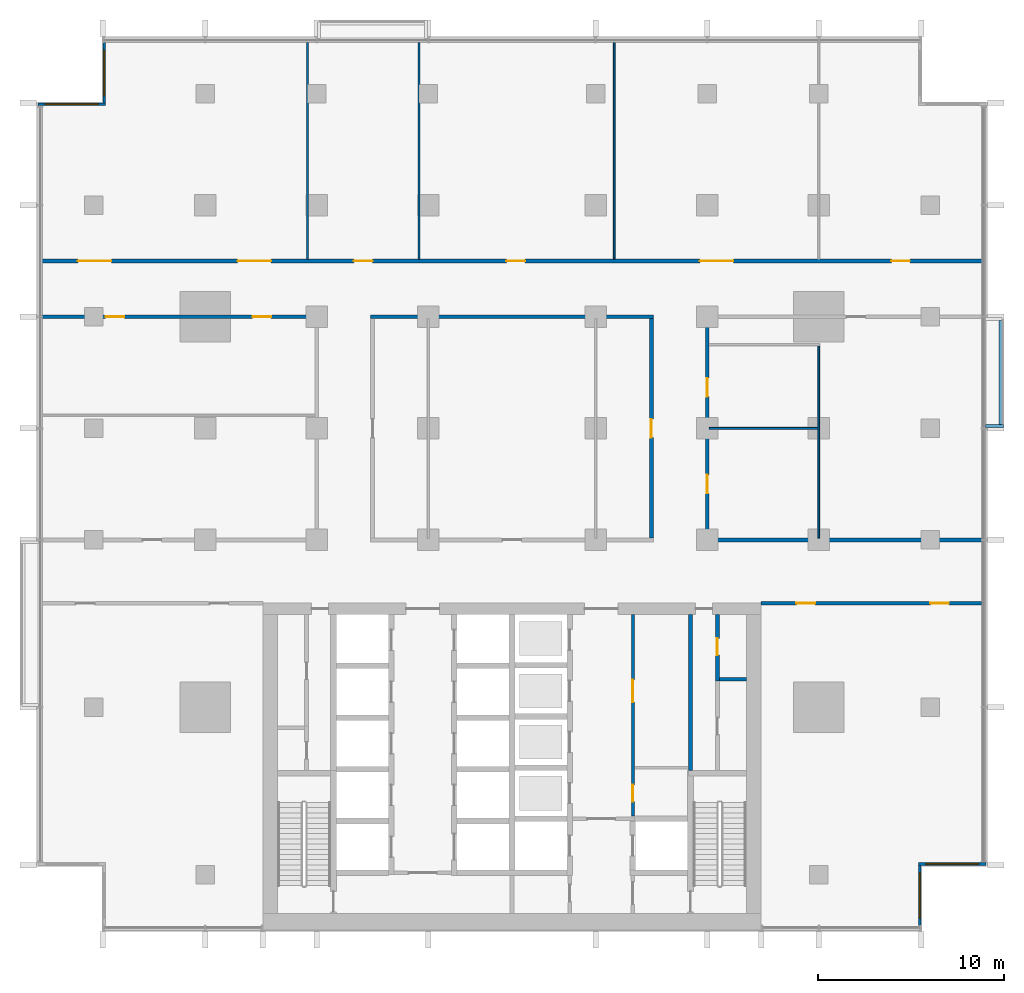
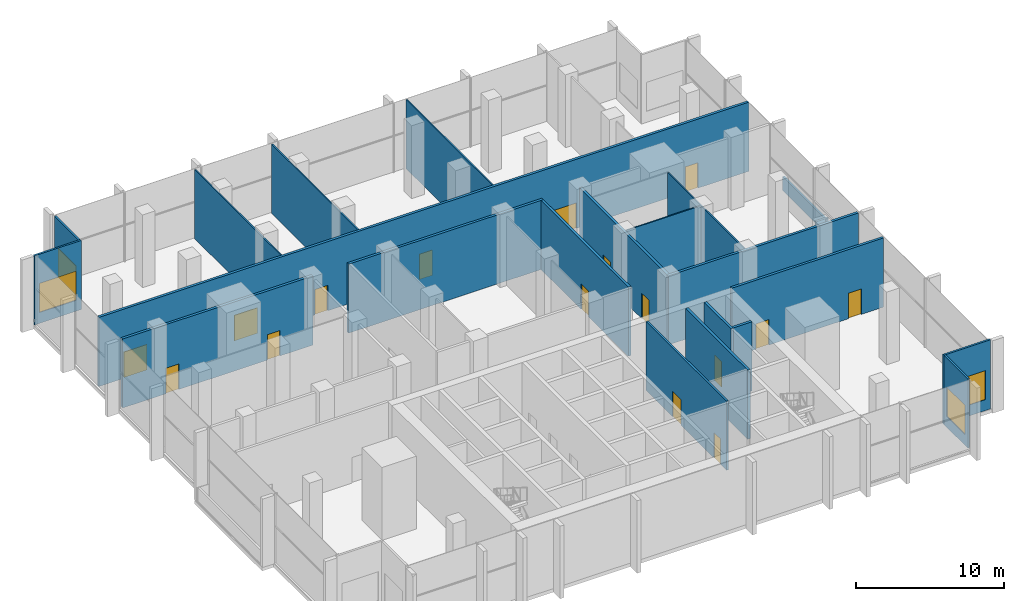
# One storey, part 9 of 16: 22 walls, 16 doors, 4 windows, 20 openings.
"""IFC4 building model written with IfcOpenShell, lengths in metres."""

from ifc_helpers import new_model, si_unit, direction, frame, frame_2d, origin, place, context, subcontext, project, spatial, rectangle, extrude, material, layer, layer_set, type_object, element, fill, save


model = new_model("IFC4")

# Units and contexts
model_context = context("Model", 3, precision=1e-05, world=origin(), true_north=direction((0.0, 1.0)))
body_context = subcontext(model_context, "Body", "Model", "MODEL_VIEW")
ifc_project = project(units=[si_unit("LENGTHUNIT", "METRE"), si_unit("AREAUNIT", "SQUARE_METRE"), si_unit("VOLUMEUNIT", "CUBIC_METRE"), si_unit("PLANEANGLEUNIT", "RADIAN"), si_unit("MASSUNIT", "GRAM", prefix="KILO")], contexts=[model_context])

# Site, building, storey
site_placement = place(None, origin())
site = spatial("IfcSite", under=ifc_project, at=site_placement, CompositionType="ELEMENT")
building_placement = place(site_placement, origin())
building = spatial("IfcBuilding", under=site, at=building_placement, Name="Finial Court Residences", CompositionType="ELEMENT")
storey_placement = place(building_placement, frame((0.0, 0.0, 127.89990234375)))
storey = spatial("IfcBuildingStorey", under=building, at=storey_placement, Name="L32", CompositionType="ELEMENT", Elevation=127.89990234375)

# Wall, openings, doors
ifc_material_1 = material(Name="Fire-rated gypsum board partition")
ifc_layer_1 = layer(ifc_material_1, 0.14990234375)
ifc_layer_set_1 = layer_set([ifc_layer_1], Name="Core room partition 150 EI 60")
wall_type_1 = type_object("IfcWallType", Name="Core room partition 150 EI 60", PredefinedType="PARTITIONING", material=ifc_layer_set_1)
wall_1_placement = place(storey_placement, frame((6.5, -8.5, 0.0), z_axis=(0.0, 0.0, 1.0), x_axis=(0.0, -1.0, 0.0)))
wall_1 = element("IfcWall", 1, at=wall_1_placement, inside=storey, type_object=wall_type_1, Name="Core partition L32-36", PredefinedType="PARTITIONING", context=body_context, shape_type="SweptSolid", body=[
    extrude(rectangle(XDim=10.85009765625, YDim=0.14990234375, at=frame_2d((5.425048828125, 0.0))), origin(), (0.0, 0.0, 1.0), 5.7001953125),
])
opening_1_placement = place(wall_1_placement, frame((9.175048828125, 0.0, 0.0)))
opening_1 = element("IfcOpeningElement", 2, at=opening_1_placement, cuts=wall_1, Name="Opening L32-C13", PredefinedType="OPENING", context=body_context, shape_type="SweptSolid", body=[
    extrude(rectangle(XDim=0.89990234375, YDim=2.10009765625, at=frame_2d((0.449951171875, 1.050048828125))), frame((0.0, 0.0849609375, 0.0), z_axis=(0.0, -1.0, 0.0), x_axis=(1.0, 0.0, 0.0)), (0.0, 0.0, 1.0), 0.169921875),
])
opening_2_placement = place(wall_1_placement, frame((3.52490234375, 0.0, 0.0)))
opening_2 = element("IfcOpeningElement", 3, at=opening_2_placement, cuts=wall_1, Name="Opening L32-C14", PredefinedType="OPENING", context=body_context, shape_type="SweptSolid", body=[
    extrude(rectangle(XDim=1.199951171875, YDim=2.10009765625, at=frame_2d((0.60009765625, 1.050048828125))), frame((0.0, 0.0849609375, 0.0), z_axis=(0.0, -1.0, 0.0), x_axis=(1.0, 0.0, 0.0)), (0.0, 0.0, 1.0), 0.169921875),
])
ifc_material_2 = material(Name="Steel fire door", Category="steel")
door_type_1 = type_object("IfcDoorType", Name="Core room door 1200 x 2100 EI 60", OperationType="NOTDEFINED", PredefinedType="DOOR", material=ifc_material_2)
door_1_placement = place(opening_2_placement, origin())
door_1 = element("IfcDoor", 4, at=door_1_placement, inside=storey, type_object=door_type_1, Name="Core room door L32-C14", OperationType="SINGLE_SWING_RIGHT", OverallHeight=2.10009765625, OverallWidth=1.199951171875, PredefinedType="DOOR", context=body_context, shape_type="SweptSolid", body=[
    extrude(rectangle(XDim=1.199951171875, YDim=2.10009765625, at=frame_2d((0.60009765625, 1.050048828125))), frame((0.0, 0.02490234375, 0.0), z_axis=(0.0, -1.0, 0.0), x_axis=(1.0, 0.0, 0.0)), (0.0, 0.0, 1.0), 0.050048828125),
])
fill(opening_2, door_1)
door_type_2 = type_object("IfcDoorType", Name="Core room door 900 x 2100 EI 60", OperationType="NOTDEFINED", PredefinedType="DOOR", material=ifc_material_2)
door_2_placement = place(opening_1_placement, origin())
door_2 = element("IfcDoor", 5, at=door_2_placement, inside=storey, type_object=door_type_2, Name="Core room door L32-C13", OperationType="SINGLE_SWING_RIGHT", OverallHeight=2.10009765625, OverallWidth=0.89990234375, PredefinedType="DOOR", context=body_context, shape_type="SweptSolid", body=[
    extrude(rectangle(XDim=0.89990234375, YDim=2.10009765625, at=frame_2d((0.449951171875, 1.050048828125))), frame((0.0, 0.02490234375, 0.0), z_axis=(0.0, -1.0, 0.0), x_axis=(1.0, 0.0, 0.0)), (0.0, 0.0, 1.0), 0.050048828125),
])
fill(opening_1, door_2)

ifc_material_3 = material(Name="Gypsum board")
ifc_layer_2 = layer(ifc_material_3, 0.02490234375)
ifc_material_4 = material(Name="Acoustic mineral wool in double frame")
ifc_layer_3 = layer(ifc_material_4, 0.14990234375)
ifc_layer_4 = layer(ifc_material_3, 0.02490234375)
ifc_layer_set_2 = layer_set([ifc_layer_2, ifc_layer_3, ifc_layer_4], Name="Corridor wall 200, 1 hour")
wall_type_2 = type_object("IfcWallType", Name="Corridor wall 200, 1 hour", PredefinedType="PARTITIONING", material=ifc_layer_set_2)
wall_2_placement = place(storey_placement, frame((13.39990234375, -7.89990234375, 0.0), z_axis=(0.0, 0.0, 1.0), x_axis=(1.0, 0.0, 0.0)))
wall_2 = element("IfcWall", 6, at=wall_2_placement, inside=storey, type_object=wall_type_2, Name="Partition L32-001", PredefinedType="PARTITIONING", context=body_context, shape_type="SweptSolid", body=[
    extrude(rectangle(XDim=11.837646484375, YDim=0.199951171875, at=frame_2d((5.9189453125, 0.0))), origin(), (0.0, 0.0, 1.0), 5.7001953125),
])
opening_3_placement = place(wall_2_placement, frame((1.89990234375, 0.0, 0.0)))
opening_3 = element("IfcOpeningElement", 7, at=opening_3_placement, cuts=wall_2, Name="Opening L32-D003", PredefinedType="OPENING", context=body_context, shape_type="SweptSolid", body=[
    extrude(rectangle(XDim=1.0, YDim=2.10009765625, at=frame_2d((0.5, 1.050048828125))), frame((0.0, 0.10986328125, 0.0), z_axis=(0.0, -1.0, 0.0), x_axis=(1.0, 0.0, 0.0)), (0.0, 0.0, 1.0), 0.219970703125),
])
opening_4_placement = place(wall_2_placement, frame((9.10009765625, 0.0, 0.0)))
opening_4 = element("IfcOpeningElement", 8, at=opening_4_placement, cuts=wall_2, Name="Opening L32-D004", PredefinedType="OPENING", context=body_context, shape_type="SweptSolid", body=[
    extrude(rectangle(XDim=1.0, YDim=2.10009765625, at=frame_2d((0.5, 1.050048828125))), frame((0.0, 0.10986328125, 0.0), z_axis=(0.0, -1.0, 0.0), x_axis=(1.0, 0.0, 0.0)), (0.0, 0.0, 1.0), 0.219970703125),
])
ifc_material_5 = material(Name="Timber door leaf in hollow metal frame", Category="wood")
door_type_3 = type_object("IfcDoorType", Name="Fire door set 1000 x 2100, 30 minutes", OperationType="SINGLE_SWING_LEFT", PredefinedType="DOOR", material=ifc_material_5)
door_3_placement = place(opening_3_placement, origin())
door_3 = element("IfcDoor", 9, at=door_3_placement, inside=storey, type_object=door_type_3, Name="Door L32-D003", OperationType="SINGLE_SWING_LEFT", OverallHeight=2.10009765625, OverallWidth=1.0, PredefinedType="DOOR", context=body_context, shape_type="SweptSolid", body=[
    extrude(rectangle(XDim=1.0, YDim=2.10009765625, at=frame_2d((0.5, 1.050048828125))), frame((0.0, 0.02490234375, 0.0), z_axis=(0.0, -1.0, 0.0), x_axis=(1.0, 0.0, 0.0)), (0.0, 0.0, 1.0), 0.050048828125),
])
fill(opening_3, door_3)
door_4_placement = place(opening_4_placement, origin())
door_4 = element("IfcDoor", 10, at=door_4_placement, inside=storey, type_object=door_type_3, Name="Door L32-D004", OperationType="SINGLE_SWING_RIGHT", OverallHeight=2.10009765625, OverallWidth=1.0, PredefinedType="DOOR", context=body_context, shape_type="SweptSolid", body=[
    extrude(rectangle(XDim=1.0, YDim=2.10009765625, at=frame_2d((0.5, 1.050048828125))), frame((0.0, 0.02490234375, 0.0), z_axis=(0.0, -1.0, 0.0), x_axis=(1.0, 0.0, 0.0)), (0.0, 0.0, 1.0), 0.050048828125),
])
fill(opening_4, door_4)

# Wall
wall_3_placement = place(storey_placement, frame((10.39990234375, -4.5, 0.0), z_axis=(0.0, 0.0, 1.0), x_axis=(1.0, 0.0, 0.0)))
element("IfcWall", 11, at=wall_3_placement, inside=storey, type_object=wall_type_2, Name="Partition L32-004", PredefinedType="PARTITIONING", context=body_context, shape_type="SweptSolid", body=[
    extrude(rectangle(XDim=14.837646484375, YDim=0.199951171875, at=frame_2d((7.4189453125, 0.0))), origin(), (0.0, 0.0, 1.0), 5.7001953125),
])

# Wall, openings, doors
wall_4_placement = place(storey_placement, frame((-25.237548828125, 7.5, 0.0), z_axis=(0.0, 0.0, 1.0), x_axis=(1.0, 0.0, 0.0)))
wall_4 = element("IfcWall", 12, at=wall_4_placement, inside=storey, type_object=wall_type_2, Name="Partition L32-008", PredefinedType="PARTITIONING", context=body_context, shape_type="SweptSolid", body=[
    extrude(rectangle(XDim=14.837646484375, YDim=0.199951171875, at=frame_2d((7.4189453125, 0.0))), origin(), (0.0, 0.0, 1.0), 5.7001953125),
])
opening_5_placement = place(wall_4_placement, frame((3.386962890625, 0.0, 0.0)))
opening_5 = element("IfcOpeningElement", 13, at=opening_5_placement, cuts=wall_4, Name="Opening L32-D007", PredefinedType="OPENING", context=body_context, shape_type="SweptSolid", body=[
    extrude(rectangle(XDim=1.0, YDim=2.10009765625, at=frame_2d((0.5, 1.050048828125))), frame((0.0, 0.10986328125, 0.0), z_axis=(0.0, -1.0, 0.0), x_axis=(1.0, 0.0, 0.0)), (0.0, 0.0, 1.0), 0.219970703125),
])
opening_6_placement = place(wall_4_placement, frame((11.2880859375, 0.0, 0.0)))
opening_6 = element("IfcOpeningElement", 14, at=opening_6_placement, cuts=wall_4, Name="Opening L32-D008", PredefinedType="OPENING", context=body_context, shape_type="SweptSolid", body=[
    extrude(rectangle(XDim=1.0, YDim=2.10009765625, at=frame_2d((0.5, 1.050048828125))), frame((0.0, 0.10986328125, 0.0), z_axis=(0.0, -1.0, 0.0), x_axis=(1.0, 0.0, 0.0)), (0.0, 0.0, 1.0), 0.219970703125),
])
door_5_placement = place(opening_5_placement, origin())
door_5 = element("IfcDoor", 15, at=door_5_placement, inside=storey, type_object=door_type_3, Name="Door L32-D007", OperationType="SINGLE_SWING_LEFT", OverallHeight=2.10009765625, OverallWidth=1.0, PredefinedType="DOOR", context=body_context, shape_type="SweptSolid", body=[
    extrude(rectangle(XDim=1.0, YDim=2.10009765625, at=frame_2d((0.5, 1.050048828125))), frame((0.0, 0.02490234375, 0.0), z_axis=(0.0, -1.0, 0.0), x_axis=(1.0, 0.0, 0.0)), (0.0, 0.0, 1.0), 0.050048828125),
])
fill(opening_5, door_5)
door_6_placement = place(opening_6_placement, origin())
door_6 = element("IfcDoor", 16, at=door_6_placement, inside=storey, type_object=door_type_3, Name="Door L32-D008", OperationType="SINGLE_SWING_RIGHT", OverallHeight=2.10009765625, OverallWidth=1.0, PredefinedType="DOOR", context=body_context, shape_type="SweptSolid", body=[
    extrude(rectangle(XDim=1.0, YDim=2.10009765625, at=frame_2d((0.5, 1.050048828125))), frame((0.0, 0.02490234375, 0.0), z_axis=(0.0, -1.0, 0.0), x_axis=(1.0, 0.0, 0.0)), (0.0, 0.0, 1.0), 0.050048828125),
])
fill(opening_6, door_6)

# Wall
wall_5_placement = place(storey_placement, frame((-7.60009765625, 7.5, 0.0), z_axis=(0.0, 0.0, 1.0), x_axis=(1.0, 0.0, 0.0)))
element("IfcWall", 17, at=wall_5_placement, inside=storey, type_object=wall_type_2, Name="Partition L32-009", PredefinedType="PARTITIONING", context=body_context, shape_type="SweptSolid", body=[
    extrude(rectangle(XDim=15.2001953125, YDim=0.199951171875, at=frame_2d((7.60009765625, 0.0))), origin(), (0.0, 0.0, 1.0), 5.7001953125),
])

# Wall, openings, doors
wall_6_placement = place(storey_placement, frame((-25.35009765625, 10.5, 0.0), z_axis=(0.0, 0.0, 1.0), x_axis=(1.0, 0.0, 0.0)))
wall_6 = element("IfcWall", 18, at=wall_6_placement, inside=storey, type_object=wall_type_2, Name="Partition L32-011", PredefinedType="PARTITIONING", context=body_context, shape_type="SweptSolid", body=[
    extrude(rectangle(XDim=50.7001953125, YDim=0.199951171875, at=frame_2d((25.35009765625, 0.0))), origin(), (0.0, 0.0, 1.0), 5.7001953125),
])
opening_7_placement = place(wall_6_placement, frame((2.0, 0.0, 0.0)))
opening_7 = element("IfcOpeningElement", 19, at=opening_7_placement, cuts=wall_6, Name="Opening L32-D010", PredefinedType="OPENING", context=body_context, shape_type="SweptSolid", body=[
    extrude(rectangle(XDim=1.800048828125, YDim=2.10009765625, at=frame_2d((0.89990234375, 1.050048828125))), frame((0.0, 0.10986328125, 0.0), z_axis=(0.0, -1.0, 0.0), x_axis=(1.0, 0.0, 0.0)), (0.0, 0.0, 1.0), 0.219970703125),
])
opening_8_placement = place(wall_6_placement, frame((10.60009765625, 0.0, 0.0)))
opening_8 = element("IfcOpeningElement", 20, at=opening_8_placement, cuts=wall_6, Name="Opening L32-D011", PredefinedType="OPENING", context=body_context, shape_type="SweptSolid", body=[
    extrude(rectangle(XDim=1.800048828125, YDim=2.10009765625, at=frame_2d((0.89990234375, 1.050048828125))), frame((0.0, 0.10986328125, 0.0), z_axis=(0.0, -1.0, 0.0), x_axis=(1.0, 0.0, 0.0)), (0.0, 0.0, 1.0), 0.219970703125),
])
opening_9_placement = place(wall_6_placement, frame((16.85009765625, 0.0, 0.0)))
opening_9 = element("IfcOpeningElement", 21, at=opening_9_placement, cuts=wall_6, Name="Opening L32-D012", PredefinedType="OPENING", context=body_context, shape_type="SweptSolid", body=[
    extrude(rectangle(XDim=1.0, YDim=2.10009765625, at=frame_2d((0.5, 1.050048828125))), frame((0.0, 0.10986328125, 0.0), z_axis=(0.0, -1.0, 0.0), x_axis=(1.0, 0.0, 0.0)), (0.0, 0.0, 1.0), 0.219970703125),
])
opening_10_placement = place(wall_6_placement, frame((25.050048828125, 0.0, 0.0)))
opening_10 = element("IfcOpeningElement", 22, at=opening_10_placement, cuts=wall_6, Name="Opening L32-D013", PredefinedType="OPENING", context=body_context, shape_type="SweptSolid", body=[
    extrude(rectangle(XDim=1.0, YDim=2.10009765625, at=frame_2d((0.5, 1.050048828125))), frame((0.0, 0.10986328125, 0.0), z_axis=(0.0, -1.0, 0.0), x_axis=(1.0, 0.0, 0.0)), (0.0, 0.0, 1.0), 0.219970703125),
])
opening_11_placement = place(wall_6_placement, frame((35.449951171875, 0.0, 0.0)))
opening_11 = element("IfcOpeningElement", 23, at=opening_11_placement, cuts=wall_6, Name="Opening L32-D014", PredefinedType="OPENING", context=body_context, shape_type="SweptSolid", body=[
    extrude(rectangle(XDim=1.800048828125, YDim=2.10009765625, at=frame_2d((0.89990234375, 1.050048828125))), frame((0.0, 0.10986328125, 0.0), z_axis=(0.0, -1.0, 0.0), x_axis=(1.0, 0.0, 0.0)), (0.0, 0.0, 1.0), 0.219970703125),
])
opening_12_placement = place(wall_6_placement, frame((45.75, 0.0, 0.0)))
opening_12 = element("IfcOpeningElement", 24, at=opening_12_placement, cuts=wall_6, Name="Opening L32-D015", PredefinedType="OPENING", context=body_context, shape_type="SweptSolid", body=[
    extrude(rectangle(XDim=1.0, YDim=2.10009765625, at=frame_2d((0.5, 1.050048828125))), frame((0.0, 0.10986328125, 0.0), z_axis=(0.0, -1.0, 0.0), x_axis=(1.0, 0.0, 0.0)), (0.0, 0.0, 1.0), 0.219970703125),
])
door_7_placement = place(opening_9_placement, origin())
door_7 = element("IfcDoor", 25, at=door_7_placement, inside=storey, type_object=door_type_3, Name="Door L32-D012", OperationType="SINGLE_SWING_RIGHT", OverallHeight=2.10009765625, OverallWidth=1.0, PredefinedType="DOOR", context=body_context, shape_type="SweptSolid", body=[
    extrude(rectangle(XDim=1.0, YDim=2.10009765625, at=frame_2d((0.5, 1.050048828125))), frame((0.0, 0.02490234375, 0.0), z_axis=(0.0, -1.0, 0.0), x_axis=(1.0, 0.0, 0.0)), (0.0, 0.0, 1.0), 0.050048828125),
])
fill(opening_9, door_7)
door_8_placement = place(opening_10_placement, origin())
door_8 = element("IfcDoor", 26, at=door_8_placement, inside=storey, type_object=door_type_3, Name="Door L32-D013", OperationType="SINGLE_SWING_LEFT", OverallHeight=2.10009765625, OverallWidth=1.0, PredefinedType="DOOR", context=body_context, shape_type="SweptSolid", body=[
    extrude(rectangle(XDim=1.0, YDim=2.10009765625, at=frame_2d((0.5, 1.050048828125))), frame((0.0, 0.02490234375, 0.0), z_axis=(0.0, -1.0, 0.0), x_axis=(1.0, 0.0, 0.0)), (0.0, 0.0, 1.0), 0.050048828125),
])
fill(opening_10, door_8)
door_9_placement = place(opening_12_placement, origin())
door_9 = element("IfcDoor", 27, at=door_9_placement, inside=storey, type_object=door_type_3, Name="Door L32-D015", OperationType="SINGLE_SWING_LEFT", OverallHeight=2.10009765625, OverallWidth=1.0, PredefinedType="DOOR", context=body_context, shape_type="SweptSolid", body=[
    extrude(rectangle(XDim=1.0, YDim=2.10009765625, at=frame_2d((0.5, 1.050048828125))), frame((0.0, 0.02490234375, 0.0), z_axis=(0.0, -1.0, 0.0), x_axis=(1.0, 0.0, 0.0)), (0.0, 0.0, 1.0), 0.050048828125),
])
fill(opening_12, door_9)
door_type_4 = type_object("IfcDoorType", Name="Fire door set 1800 x 2100, 30 minutes", OperationType="DOUBLE_DOOR_SINGLE_SWING", PredefinedType="DOOR", material=ifc_material_5)
door_10_placement = place(opening_7_placement, origin())
door_10 = element("IfcDoor", 28, at=door_10_placement, inside=storey, type_object=door_type_4, Name="Door L32-D010", OperationType="DOUBLE_DOOR_SINGLE_SWING", OverallHeight=2.10009765625, OverallWidth=1.800048828125, PredefinedType="DOOR", context=body_context, shape_type="SweptSolid", body=[
    extrude(rectangle(XDim=1.800048828125, YDim=2.10009765625, at=frame_2d((0.89990234375, 1.050048828125))), frame((0.0, 0.02490234375, 0.0), z_axis=(0.0, -1.0, 0.0), x_axis=(1.0, 0.0, 0.0)), (0.0, 0.0, 1.0), 0.050048828125),
])
fill(opening_7, door_10)
door_11_placement = place(opening_8_placement, origin())
door_11 = element("IfcDoor", 29, at=door_11_placement, inside=storey, type_object=door_type_4, Name="Door L32-D011", OperationType="DOUBLE_DOOR_SINGLE_SWING", OverallHeight=2.10009765625, OverallWidth=1.800048828125, PredefinedType="DOOR", context=body_context, shape_type="SweptSolid", body=[
    extrude(rectangle(XDim=1.800048828125, YDim=2.10009765625, at=frame_2d((0.89990234375, 1.050048828125))), frame((0.0, 0.02490234375, 0.0), z_axis=(0.0, -1.0, 0.0), x_axis=(1.0, 0.0, 0.0)), (0.0, 0.0, 1.0), 0.050048828125),
])
fill(opening_8, door_11)
door_12_placement = place(opening_11_placement, origin())
door_12 = element("IfcDoor", 30, at=door_12_placement, inside=storey, type_object=door_type_4, Name="Door L32-D014", OperationType="DOUBLE_DOOR_SINGLE_SWING", OverallHeight=2.10009765625, OverallWidth=1.800048828125, PredefinedType="DOOR", context=body_context, shape_type="SweptSolid", body=[
    extrude(rectangle(XDim=1.800048828125, YDim=2.10009765625, at=frame_2d((0.89990234375, 1.050048828125))), frame((0.0, 0.02490234375, 0.0), z_axis=(0.0, -1.0, 0.0), x_axis=(1.0, 0.0, 0.0)), (0.0, 0.0, 1.0), 0.050048828125),
])
fill(opening_11, door_12)

# Wall, opening, door
wall_7_placement = place(storey_placement, frame((7.5, -4.39990234375, 0.0), z_axis=(0.0, 0.0, 1.0), x_axis=(0.0, 1.0, 0.0)))
wall_7 = element("IfcWall", 31, at=wall_7_placement, inside=storey, type_object=wall_type_2, Name="Partition L32-019", PredefinedType="PARTITIONING", context=body_context, shape_type="SweptSolid", body=[
    extrude(rectangle(XDim=11.7998046875, YDim=0.199951171875, at=frame_2d((5.89990234375, 0.0))), origin(), (0.0, 0.0, 1.0), 5.7001953125),
])
opening_13_placement = place(wall_7_placement, frame((5.39990234375, 0.0, 0.0)))
opening_13 = element("IfcOpeningElement", 32, at=opening_13_placement, cuts=wall_7, Name="Opening L32-D017", PredefinedType="OPENING", context=body_context, shape_type="SweptSolid", body=[
    extrude(rectangle(XDim=1.0, YDim=2.10009765625, at=frame_2d((0.5, 1.050048828125))), frame((0.0, 0.10986328125, 0.0), z_axis=(0.0, -1.0, 0.0), x_axis=(1.0, 0.0, 0.0)), (0.0, 0.0, 1.0), 0.219970703125),
])
door_13_placement = place(opening_13_placement, origin())
door_13 = element("IfcDoor", 33, at=door_13_placement, inside=storey, type_object=door_type_3, Name="Door L32-D017", OperationType="SINGLE_SWING_RIGHT", OverallHeight=2.10009765625, OverallWidth=1.0, PredefinedType="DOOR", context=body_context, shape_type="SweptSolid", body=[
    extrude(rectangle(XDim=1.0, YDim=2.10009765625, at=frame_2d((0.5, 1.050048828125))), frame((0.0, 0.02490234375, 0.0), z_axis=(0.0, -1.0, 0.0), x_axis=(1.0, 0.0, 0.0)), (0.0, 0.0, 1.0), 0.050048828125),
])
fill(opening_13, door_13)

# Wall, openings, doors
wall_8_placement = place(storey_placement, frame((10.5, -4.39990234375, 0.0), z_axis=(0.0, 0.0, 1.0), x_axis=(0.0, 1.0, 0.0)))
wall_8 = element("IfcWall", 34, at=wall_8_placement, inside=storey, type_object=wall_type_2, Name="Partition L32-020", PredefinedType="PARTITIONING", context=body_context, shape_type="SweptSolid", body=[
    extrude(rectangle(XDim=11.7998046875, YDim=0.199951171875, at=frame_2d((5.89990234375, 0.0))), origin(), (0.0, 0.0, 1.0), 5.7001953125),
])
opening_14_placement = place(wall_8_placement, frame((2.39990234375, 0.0, 0.0)))
opening_14 = element("IfcOpeningElement", 35, at=opening_14_placement, cuts=wall_8, Name="Opening L32-D018", PredefinedType="OPENING", context=body_context, shape_type="SweptSolid", body=[
    extrude(rectangle(XDim=1.0, YDim=2.10009765625, at=frame_2d((0.5, 1.050048828125))), frame((0.0, 0.10986328125, 0.0), z_axis=(0.0, -1.0, 0.0), x_axis=(1.0, 0.0, 0.0)), (0.0, 0.0, 1.0), 0.219970703125),
])
opening_15_placement = place(wall_8_placement, frame((7.60009765625, 0.0, 0.0)))
opening_15 = element("IfcOpeningElement", 36, at=opening_15_placement, cuts=wall_8, Name="Opening L32-D019", PredefinedType="OPENING", context=body_context, shape_type="SweptSolid", body=[
    extrude(rectangle(XDim=1.0, YDim=2.10009765625, at=frame_2d((0.5, 1.050048828125))), frame((0.0, 0.10986328125, 0.0), z_axis=(0.0, -1.0, 0.0), x_axis=(1.0, 0.0, 0.0)), (0.0, 0.0, 1.0), 0.219970703125),
])
door_14_placement = place(opening_14_placement, origin())
door_14 = element("IfcDoor", 37, at=door_14_placement, inside=storey, type_object=door_type_3, Name="Door L32-D018", OperationType="SINGLE_SWING_LEFT", OverallHeight=2.10009765625, OverallWidth=1.0, PredefinedType="DOOR", context=body_context, shape_type="SweptSolid", body=[
    extrude(rectangle(XDim=1.0, YDim=2.10009765625, at=frame_2d((0.5, 1.050048828125))), frame((0.0, 0.02490234375, 0.0), z_axis=(0.0, -1.0, 0.0), x_axis=(1.0, 0.0, 0.0)), (0.0, 0.0, 1.0), 0.050048828125),
])
fill(opening_14, door_14)
door_15_placement = place(opening_15_placement, origin())
door_15 = element("IfcDoor", 38, at=door_15_placement, inside=storey, type_object=door_type_3, Name="Door L32-D019", OperationType="SINGLE_SWING_RIGHT", OverallHeight=2.10009765625, OverallWidth=1.0, PredefinedType="DOOR", context=body_context, shape_type="SweptSolid", body=[
    extrude(rectangle(XDim=1.0, YDim=2.10009765625, at=frame_2d((0.5, 1.050048828125))), frame((0.0, 0.02490234375, 0.0), z_axis=(0.0, -1.0, 0.0), x_axis=(1.0, 0.0, 0.0)), (0.0, 0.0, 1.0), 0.050048828125),
])
fill(opening_15, door_15)

# Walls
ifc_layer_5 = layer(ifc_material_3, 0.012451171875)
ifc_material_6 = material(Name="Mineral wool in light-gauge frame")
ifc_layer_6 = layer(ifc_material_6, 0.074951171875)
ifc_layer_7 = layer(ifc_material_3, 0.012451171875)
ifc_layer_set_3 = layer_set([ifc_layer_5, ifc_layer_6, ifc_layer_7], Name="Gypsum board partition 100")
wall_type_3 = type_object("IfcWallType", Name="Gypsum board partition 100", PredefinedType="PARTITIONING", material=ifc_layer_set_3)
wall_9_placement = place(storey_placement, frame((10.60009765625, 1.5, 0.0), z_axis=(0.0, 0.0, 1.0), x_axis=(1.0, 0.0, 0.0)))
element("IfcWall", 39, at=wall_9_placement, inside=storey, type_object=wall_type_3, Name="Partition L32-005", PredefinedType="PARTITIONING", context=body_context, shape_type="SweptSolid", body=[
    extrude(rectangle(XDim=5.849853515625, YDim=0.10009765625, at=frame_2d((2.9248046875, 0.0))), origin(), (0.0, 0.0, 1.0), 5.7001953125),
])
for number, where, z_axis, x_axis, name in (
    (40, (-11.0, 10.60009765625, 0.0), (0.0, 0.0, 1.0), (0.0, 1.0, 0.0), "Partition L32-012"),
    (41, (-5.0, 10.60009765625, 0.0), (0.0, 0.0, 1.0), (0.0, 1.0, 0.0), "Partition L32-015"),
    (42, (5.5, 10.60009765625, 0.0), (0.0, 0.0, 1.0), (0.0, 1.0, 0.0), "Partition L32-018"),
):
    element("IfcWall", number, at=place(storey_placement, frame(where, z_axis=z_axis, x_axis=x_axis)), inside=storey, type_object=wall_type_3, Name=name, PredefinedType="PARTITIONING", context=body_context, shape_type="SweptSolid", body=[
        extrude(rectangle(XDim=11.637451171875, YDim=0.10009765625, at=frame_2d((5.81884765625, 0.0))), origin(), (0.0, 0.0, 1.0), 5.7001953125),
    ])
wall_10_placement = place(storey_placement, frame((16.5, -4.39990234375, 0.0), z_axis=(0.0, 0.0, 1.0), x_axis=(0.0, 1.0, 0.0)))
element("IfcWall", 43, at=wall_10_placement, inside=storey, type_object=wall_type_3, Name="Partition L32-021", PredefinedType="PARTITIONING", context=body_context, shape_type="SweptSolid", body=[
    extrude(rectangle(XDim=10.349853515625, YDim=0.10009765625, at=frame_2d((5.1748046875, 0.0))), origin(), (0.0, 0.0, 1.0), 5.7001953125),
])
ifc_material_7 = material(Name="Concrete C35/45", Category="concrete")
ifc_layer_8 = layer(ifc_material_7, 0.14990234375)
ifc_layer_set_4 = layer_set([ifc_layer_8], Name="Ledge parapet, Concrete C35/45 150")
wall_type_4 = type_object("IfcWallType", Name="Ledge parapet, Concrete C35/45 150", PredefinedType="PARAPET", material=ifc_layer_set_4)
wall_11_placement = place(storey_placement, frame((26.4375, 1.625, 0.0), z_axis=(0.0, 0.0, 1.0), x_axis=(-1.0, 0.0, 0.0)))
element("IfcWall", 44, at=wall_11_placement, inside=storey, type_object=wall_type_4, Name="E-L32-LED2-P1", PredefinedType="PARAPET", context=body_context, shape_type="SweptSolid", body=[
    extrude(rectangle(XDim=0.965087890625, YDim=0.14990234375, at=frame_2d((0.482421875, 0.0))), origin(), (0.0, 0.0, 1.0), 1.150146484375),
])
wall_12_placement = place(storey_placement, frame((26.27490234375, 7.300048828125, 0.0), z_axis=(0.0, 0.0, 1.0), x_axis=(0.0, -1.0, 0.0)))
element("IfcWall", 45, at=wall_12_placement, inside=storey, type_object=wall_type_4, Name="E-L32-LED2-P3", PredefinedType="PARAPET", context=body_context, shape_type="SweptSolid", body=[
    extrude(rectangle(XDim=5.837646484375, YDim=0.14990234375, at=frame_2d((2.9189453125, 0.0))), origin(), (0.0, 0.0, 1.0), 1.150146484375),
])

# Wall, opening, window
ifc_material_8 = material(Name="Natural limestone", Category="masonry")
ifc_layer_9 = layer(ifc_material_8, 0.14990234375)
ifc_layer_set_5 = layer_set([ifc_layer_9], Name="Limestone clad wall 150")
wall_type_5 = type_object("IfcWallType", Name="Limestone clad wall 150", PredefinedType="SOLIDWALL", material=ifc_layer_set_5)
wall_13_placement = place(storey_placement, frame((21.925048828125, -22.0, 0.0), z_axis=(0.0, 0.0, 1.0), x_axis=(0.0, -1.0, 0.0)))
wall_13 = element("IfcWall", 46, at=wall_13_placement, inside=storey, type_object=wall_type_5, Name="E-L32-NWE8", PredefinedType="SOLIDWALL", context=body_context, shape_type="SweptSolid", body=[
    extrude(rectangle(XDim=3.237548828125, YDim=0.14990234375, at=frame_2d((1.61865234375, 0.0))), origin(), (0.0, 0.0, 1.0), 5.7001953125),
])
opening_16_placement = place(wall_13_placement, frame((0.398681640625, 0.0, 0.89990234375)))
opening_16 = element("IfcOpeningElement", 47, at=opening_16_placement, cuts=wall_13, Name="Opening WE32-03", PredefinedType="OPENING", context=body_context, shape_type="SweptSolid", body=[
    extrude(rectangle(XDim=2.43994140625, YDim=2.39990234375, at=frame_2d((1.219970703125, 1.199951171875))), frame((0.0, 0.0849609375, 0.0), z_axis=(0.0, -1.0, 0.0), x_axis=(1.0, 0.0, 0.0)), (0.0, 0.0, 1.0), 0.169921875),
])
ifc_material_9 = material(Name="Clear low-e glass", Category="glass")
window_type_1 = type_object("IfcWindowType", Name="Corner window 2440 x 2400", PartitioningType="SINGLE_PANEL", PredefinedType="WINDOW", material=ifc_material_9)
window_1_placement = place(opening_16_placement, origin())
window_1 = element("IfcWindow", 48, at=window_1_placement, inside=storey, type_object=window_type_1, Name="E-L32-NWE8-W1", OverallHeight=2.39990234375, OverallWidth=2.43994140625, PartitioningType="SINGLE_PANEL", PredefinedType="WINDOW", context=body_context, shape_type="SweptSolid", body=[
    extrude(rectangle(XDim=2.43994140625, YDim=2.39990234375, at=frame_2d((1.219970703125, 1.199951171875))), frame((0.0, 0.030029296875, 0.0), z_axis=(0.0, -1.0, 0.0), x_axis=(1.0, 0.0, 0.0)), (0.0, 0.0, 1.0), 0.06005859375),
])
fill(opening_16, window_1)

wall_14_placement = place(storey_placement, frame((25.5, -21.925048828125, 0.0), z_axis=(0.0, 0.0, 1.0), x_axis=(-1.0, 0.0, 0.0)))
wall_14 = element("IfcWall", 49, at=wall_14_placement, inside=storey, type_object=wall_type_5, Name="E-L32-NWS9", PredefinedType="SOLIDWALL", context=body_context, shape_type="SweptSolid", body=[
    extrude(rectangle(XDim=3.64990234375, YDim=0.14990234375, at=frame_2d((1.824951171875, 0.0))), origin(), (0.0, 0.0, 1.0), 5.7001953125),
])
opening_17_placement = place(wall_14_placement, frame((0.39990234375, 0.0, 0.89990234375)))
opening_17 = element("IfcOpeningElement", 50, at=opening_17_placement, cuts=wall_14, Name="Opening WE32-04", PredefinedType="OPENING", context=body_context, shape_type="SweptSolid", body=[
    extrude(rectangle(XDim=2.85009765625, YDim=2.39990234375, at=frame_2d((1.425048828125, 1.199951171875))), frame((0.0, 0.0849609375, 0.0), z_axis=(0.0, -1.0, 0.0), x_axis=(1.0, 0.0, 0.0)), (0.0, 0.0, 1.0), 0.169921875),
])
window_type_2 = type_object("IfcWindowType", Name="Corner window 2850 x 2400", PartitioningType="SINGLE_PANEL", PredefinedType="WINDOW", material=ifc_material_9)
window_2_placement = place(opening_17_placement, origin())
window_2 = element("IfcWindow", 51, at=window_2_placement, inside=storey, type_object=window_type_2, Name="E-L32-NWS9-W1", OverallHeight=2.39990234375, OverallWidth=2.85009765625, PartitioningType="SINGLE_PANEL", PredefinedType="WINDOW", context=body_context, shape_type="SweptSolid", body=[
    extrude(rectangle(XDim=2.85009765625, YDim=2.39990234375, at=frame_2d((1.425048828125, 1.199951171875))), frame((0.0, 0.030029296875, 0.0), z_axis=(0.0, -1.0, 0.0), x_axis=(1.0, 0.0, 0.0)), (0.0, 0.0, 1.0), 0.06005859375),
])
fill(opening_17, window_2)

wall_15_placement = place(storey_placement, frame((-21.925048828125, 19.0, 0.0), z_axis=(0.0, 0.0, 1.0), x_axis=(0.0, 1.0, 0.0)))
wall_15 = element("IfcWall", 52, at=wall_15_placement, inside=storey, type_object=wall_type_5, Name="E-L32-NWW10", PredefinedType="SOLIDWALL", context=body_context, shape_type="SweptSolid", body=[
    extrude(rectangle(XDim=3.237548828125, YDim=0.14990234375, at=frame_2d((1.61865234375, 0.0))), origin(), (0.0, 0.0, 1.0), 5.7001953125),
])
opening_18_placement = place(wall_15_placement, frame((0.398681640625, 0.0, 0.89990234375)))
opening_18 = element("IfcOpeningElement", 53, at=opening_18_placement, cuts=wall_15, Name="Opening WE32-05", PredefinedType="OPENING", context=body_context, shape_type="SweptSolid", body=[
    extrude(rectangle(XDim=2.43994140625, YDim=2.39990234375, at=frame_2d((1.219970703125, 1.199951171875))), frame((0.0, 0.0849609375, 0.0), z_axis=(0.0, -1.0, 0.0), x_axis=(1.0, 0.0, 0.0)), (0.0, 0.0, 1.0), 0.169921875),
])
window_3_placement = place(opening_18_placement, origin())
window_3 = element("IfcWindow", 54, at=window_3_placement, inside=storey, type_object=window_type_1, Name="E-L32-NWW10-W1", OverallHeight=2.39990234375, OverallWidth=2.43994140625, PartitioningType="SINGLE_PANEL", PredefinedType="WINDOW", context=body_context, shape_type="SweptSolid", body=[
    extrude(rectangle(XDim=2.43994140625, YDim=2.39990234375, at=frame_2d((1.219970703125, 1.199951171875))), frame((0.0, 0.030029296875, 0.0), z_axis=(0.0, -1.0, 0.0), x_axis=(1.0, 0.0, 0.0)), (0.0, 0.0, 1.0), 0.06005859375),
])
fill(opening_18, window_3)

wall_16_placement = place(storey_placement, frame((-25.5, 18.925048828125, 0.0), z_axis=(0.0, 0.0, 1.0), x_axis=(1.0, 0.0, 0.0)))
wall_16 = element("IfcWall", 55, at=wall_16_placement, inside=storey, type_object=wall_type_5, Name="E-L32-NWN11", PredefinedType="SOLIDWALL", context=body_context, shape_type="SweptSolid", body=[
    extrude(rectangle(XDim=3.64990234375, YDim=0.14990234375, at=frame_2d((1.824951171875, 0.0))), origin(), (0.0, 0.0, 1.0), 5.7001953125),
])
opening_19_placement = place(wall_16_placement, frame((0.39990234375, 0.0, 0.89990234375)))
opening_19 = element("IfcOpeningElement", 56, at=opening_19_placement, cuts=wall_16, Name="Opening WE32-06", PredefinedType="OPENING", context=body_context, shape_type="SweptSolid", body=[
    extrude(rectangle(XDim=2.85009765625, YDim=2.39990234375, at=frame_2d((1.425048828125, 1.199951171875))), frame((0.0, 0.0849609375, 0.0), z_axis=(0.0, -1.0, 0.0), x_axis=(1.0, 0.0, 0.0)), (0.0, 0.0, 1.0), 0.169921875),
])
window_4_placement = place(opening_19_placement, origin())
window_4 = element("IfcWindow", 57, at=window_4_placement, inside=storey, type_object=window_type_2, Name="E-L32-NWN11-W1", OverallHeight=2.39990234375, OverallWidth=2.85009765625, PartitioningType="SINGLE_PANEL", PredefinedType="WINDOW", context=body_context, shape_type="SweptSolid", body=[
    extrude(rectangle(XDim=2.85009765625, YDim=2.39990234375, at=frame_2d((1.425048828125, 1.199951171875))), frame((0.0, 0.030029296875, 0.0), z_axis=(0.0, -1.0, 0.0), x_axis=(1.0, 0.0, 0.0)), (0.0, 0.0, 1.0), 0.06005859375),
])
fill(opening_19, window_4)

# Wall
ifc_layer_10 = layer(ifc_material_1, 0.199951171875)
ifc_layer_set_6 = layer_set([ifc_layer_10], Name="Riser room wall 200 EI 120")
wall_type_6 = type_object("IfcWallType", Name="Riser room wall 200 EI 120", PredefinedType="PARTITIONING", material=ifc_layer_set_6)
wall_17_placement = place(storey_placement, frame((11.14990234375, -12.0, 0.0), z_axis=(0.0, 0.0, 1.0), x_axis=(1.0, 0.0, 0.0)))
element("IfcWall", 58, at=wall_17_placement, inside=storey, type_object=wall_type_6, Name="Core partition L32-20", PredefinedType="PARTITIONING", context=body_context, shape_type="SweptSolid", body=[
    extrude(rectangle(XDim=1.4501953125, YDim=0.199951171875, at=frame_2d((0.72509765625, 0.0))), origin(), (0.0, 0.0, 1.0), 5.7001953125),
])

# Wall, opening, door
wall_18_placement = place(storey_placement, frame((11.050048828125, -8.5, 0.0), z_axis=(0.0, 0.0, 1.0), x_axis=(0.0, -1.0, 0.0)))
wall_18 = element("IfcWall", 59, at=wall_18_placement, inside=storey, type_object=wall_type_6, Name="Core partition L32-40", PredefinedType="PARTITIONING", context=body_context, shape_type="SweptSolid", body=[
    extrude(rectangle(XDim=3.60009765625, YDim=0.199951171875, at=frame_2d((1.800048828125, 0.0))), origin(), (0.0, 0.0, 1.0), 5.7001953125),
])
opening_20_placement = place(wall_18_placement, frame((1.300048828125, 0.0, 0.0)))
opening_20 = element("IfcOpeningElement", 60, at=opening_20_placement, cuts=wall_18, Name="Opening L32-C08", PredefinedType="OPENING", context=body_context, shape_type="SweptSolid", body=[
    extrude(rectangle(XDim=0.89990234375, YDim=2.10009765625, at=frame_2d((0.449951171875, 1.050048828125))), frame((0.0, 0.10986328125, 0.0), z_axis=(0.0, -1.0, 0.0), x_axis=(1.0, 0.0, 0.0)), (0.0, 0.0, 1.0), 0.219970703125),
])
door_type_5 = type_object("IfcDoorType", Name="Riser room door 900 x 2100 EI 90", OperationType="NOTDEFINED", PredefinedType="DOOR", material=ifc_material_2)
door_16_placement = place(opening_20_placement, origin())
door_16 = element("IfcDoor", 61, at=door_16_placement, inside=storey, type_object=door_type_5, Name="Riser room door L32-C08", OperationType="SINGLE_SWING_RIGHT", OverallHeight=2.10009765625, OverallWidth=0.89990234375, PredefinedType="DOOR", context=body_context, shape_type="SweptSolid", body=[
    extrude(rectangle(XDim=0.89990234375, YDim=2.10009765625, at=frame_2d((0.449951171875, 1.050048828125))), frame((0.0, 0.02490234375, 0.0), z_axis=(0.0, -1.0, 0.0), x_axis=(1.0, 0.0, 0.0)), (0.0, 0.0, 1.0), 0.050048828125),
])
fill(opening_20, door_16)

# Wall
ifc_layer_11 = layer(ifc_material_1, 0.199951171875)
ifc_layer_set_7 = layer_set([ifc_layer_11], Name="Stair passage wall 200 EI 180")
wall_type_7 = type_object("IfcWallType", Name="Stair passage wall 200 EI 180", PredefinedType="PARTITIONING", material=ifc_layer_set_7)
wall_19_placement = place(storey_placement, frame((9.60009765625, -16.89990234375, 0.0), z_axis=(0.0, 0.0, 1.0), x_axis=(0.0, 1.0, 0.0)))
element("IfcWall", 62, at=wall_19_placement, inside=storey, type_object=wall_type_7, Name="Core partition L32-38", PredefinedType="PARTITIONING", context=body_context, shape_type="SweptSolid", body=[
    extrude(rectangle(XDim=8.39990234375, YDim=0.199951171875, at=frame_2d((4.199951171875, 0.0))), origin(), (0.0, 0.0, 1.0), 5.7001953125),
])

save(model, "model.ifc")
